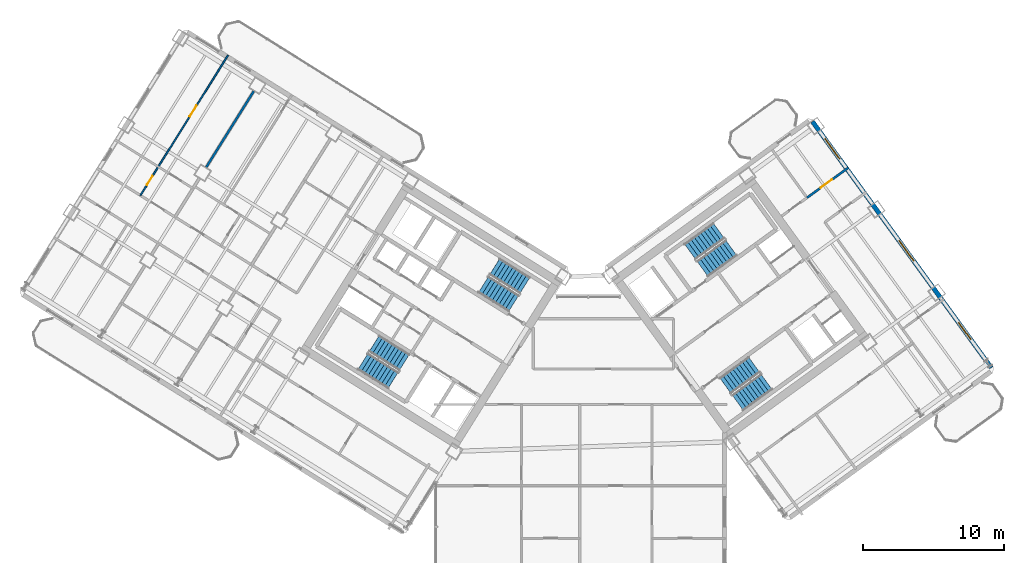
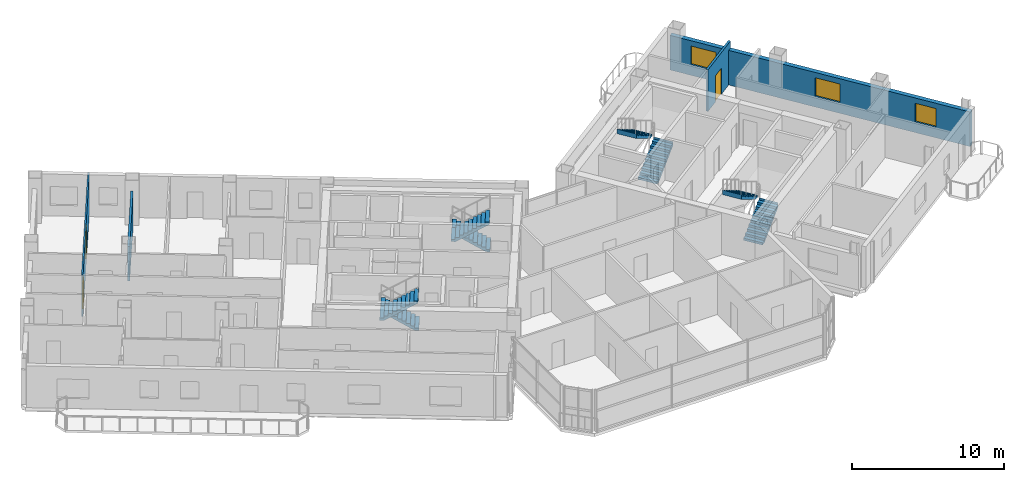
# One storey, part 21 of 25: 8 stair flights, 4 walls, 3 doors, 3 windows, 6 openings, 4 elements without a shape of their own.
"""IFC4 building model written with IfcOpenShell, lengths in metres."""

from ifc_helpers import new_model, si_unit, direction, frame, frame_2d, origin, place, context, subcontext, project, spatial, polyline, rectangle, outline, extrude, source, transform, mapped, material, layer, layer_set, type_object, element, fill, aggregate, save


model = new_model("IFC4")

# Units and contexts
model_context = context("Model", 3, precision=1e-05, world=origin(), true_north=direction((0.0, 1.0)))
body_context = subcontext(model_context, "Body", "Model", "MODEL_VIEW")
ifc_project = project(units=[si_unit("LENGTHUNIT", "METRE"), si_unit("AREAUNIT", "SQUARE_METRE"), si_unit("VOLUMEUNIT", "CUBIC_METRE"), si_unit("PLANEANGLEUNIT", "RADIAN"), si_unit("MASSUNIT", "GRAM", prefix="KILO")], contexts=[model_context])

# Site, building, storey
site_placement = place(None, origin())
site = spatial("IfcSite", under=ifc_project, at=site_placement, CompositionType="ELEMENT")
building_placement = place(site_placement, origin())
building = spatial("IfcBuilding", under=site, at=building_placement, Name="Tlacorven Tower", CompositionType="ELEMENT")
storey_placement = place(building_placement, frame((0.0, 0.0, 155.10009765625)))
storey = spatial("IfcBuildingStorey", under=building, at=storey_placement, Name="L39", CompositionType="ELEMENT", Elevation=155.10009765625)

# Wall
ifc_material_1 = material(Name="Gypsum plasterboard acoustic partition", Category="gypsum")
ifc_layer_1 = layer(ifc_material_1, 0.159912109375)
ifc_layer_set_1 = layer_set([ifc_layer_1], Name="Gypsum plasterboard acoustic partition")
wall_type_1 = type_object("IfcWallType", Name="WL-DEM-160", PredefinedType="PARTITIONING", material=ifc_layer_set_1)
wall_1_placement = place(storey_placement, frame((18.828125, 37.642578125, 0.0), z_axis=(0.0, 0.0, 1.0), x_axis=(-0.529930102756, -0.848041323399, 0.0)))
element("IfcWall", 1, at=wall_1_placement, inside=storey, type_object=wall_type_1, Name="L39 WS Demising Wall 2", PredefinedType="PARTITIONING", context=body_context, shape_type="SweptSolid", body=[
    extrude(rectangle(XDim=6.376220703125, YDim=0.159912109375, at=frame_2d((3.18798828125, 0.0))), origin(), (0.0, 0.0, 1.0), 2.77490234375),
])

# Wall, opening, door
wall_2_placement = place(storey_placement, frame((58.06689453125, 30.080078125, 0.0), z_axis=(0.0, 0.0, 1.0), x_axis=(0.809012309495, 0.587791700422, 0.0)))
wall_2 = element("IfcWall", 2, at=wall_2_placement, inside=storey, type_object=wall_type_1, Name="L39 partition 96", PredefinedType="PARTITIONING", context=body_context, shape_type="SweptSolid", body=[
    extrude(rectangle(XDim=3.6298828125, YDim=0.159912109375, at=frame_2d((1.81494140625, 0.0))), origin(), (0.0, 0.0, 1.0), 3.33984375),
])
opening_1_placement = place(wall_2_placement, frame((1.199951171875, 0.0, 0.0)))
opening_1 = element("IfcOpeningElement", 3, at=opening_1_placement, cuts=wall_2, Name="Opening D11", PredefinedType="OPENING", context=body_context, shape_type="SweptSolid", body=[
    extrude(rectangle(XDim=1.0, YDim=2.10009765625, at=frame_2d((0.5, 1.050048828125))), frame((0.0, 0.08984375, 0.0), z_axis=(0.0, -1.0, 0.0), x_axis=(1.0, 0.0, 0.0)), (0.0, 0.0, 1.0), 0.179931640625),
])
ifc_material_2 = material(Name="Fire-rated steel door assembly", Category="steel")
door_type_1 = type_object("IfcDoorType", Name="DR-FLT-FD60-1000", OperationType="NOTDEFINED", PredefinedType="DOOR", material=ifc_material_2)
shared_shape_1 = source(origin(), body_context, "Body", "SweptSolid", [
    extrude(rectangle(XDim=1.0, YDim=2.10009765625, at=frame_2d((0.5, 1.050048828125))), frame((0.0, 0.02490234375, 0.0), z_axis=(0.0, -1.0, 0.0), x_axis=(1.0, 0.0, 0.0)), (0.0, 0.0, 1.0), 0.050048828125),
])
door_1_placement = place(opening_1_placement, origin())
door_1 = element("IfcDoor", 4, at=door_1_placement, inside=storey, type_object=door_type_1, Name="L39 door 061", OperationType="SINGLE_SWING_LEFT", OverallHeight=2.10009765625, OverallWidth=1.0, PredefinedType="DOOR", context=body_context, shape_type="MappedRepresentation", body=[
    mapped(shared_shape_1, transform((0.0, 0.0, 0.0), scale=1.0)),
])
fill(opening_1, door_1)

# Wall, openings, windows
ifc_material_3 = material(Name="Precast concrete C45/55", Category="concrete")
ifc_layer_2 = layer(ifc_material_3, 0.320068359375)
ifc_layer_set_2 = layer_set([ifc_layer_2], Name="Precast concrete C45/55")
wall_type_2 = type_object("IfcWallType", Name="WL-EXT-320", PredefinedType="STANDARD", material=ifc_layer_set_2)
wall_3_placement = place(storey_placement, frame((58.45458984375, 35.483642578125, 0.0), z_axis=(0.0, 0.0, 1.0), x_axis=(0.587783625747, -0.809018176127, 0.0)))
wall_3 = element("IfcWall", 5, at=wall_3_placement, inside=storey, type_object=wall_type_2, Name="L39 Masonry-Frame Recessed Facade Wall 5", PredefinedType="STANDARD", context=body_context, shape_type="SweptSolid", body=[
    extrude(rectangle(XDim=21.58740234375, YDim=0.320068359375, at=frame_2d((10.793701171875, 0.0))), origin(), (0.0, 0.0, 1.0), 2.77490234375),
])
opening_2_placement = place(wall_3_placement, frame((1.503662109375, 0.0, 0.85009765625)))
opening_2 = element("IfcOpeningElement", 6, at=opening_2_placement, cuts=wall_3, Name="Opening WN01", PredefinedType="OPENING", context=body_context, shape_type="SweptSolid", body=[
    extrude(rectangle(XDim=1.800048828125, YDim=1.5, at=frame_2d((0.89990234375, 0.75))), frame((0.0, 0.169921875, 0.0), z_axis=(0.0, -1.0, 0.0), x_axis=(1.0, 0.0, 0.0)), (0.0, 0.0, 1.0), 0.340087890625),
])
opening_3_placement = place(wall_3_placement, frame((10.443603515625, 0.0, 0.85009765625)))
opening_3 = element("IfcOpeningElement", 7, at=opening_3_placement, cuts=wall_3, Name="Opening WN01", PredefinedType="OPENING", context=body_context, shape_type="SweptSolid", body=[
    extrude(rectangle(XDim=1.800048828125, YDim=1.5, at=frame_2d((0.89990234375, 0.75))), frame((0.0, 0.169921875, 0.0), z_axis=(0.0, -1.0, 0.0), x_axis=(1.0, 0.0, 0.0)), (0.0, 0.0, 1.0), 0.340087890625),
])
opening_4_placement = place(wall_3_placement, frame((17.61962890625, 0.0, 0.85009765625)))
opening_4 = element("IfcOpeningElement", 8, at=opening_4_placement, cuts=wall_3, Name="Opening WN02", PredefinedType="OPENING", context=body_context, shape_type="SweptSolid", body=[
    extrude(rectangle(XDim=1.5, YDim=1.5, at=frame_2d((0.75, 0.75))), frame((0.0, 0.169921875, 0.0), z_axis=(0.0, -1.0, 0.0), x_axis=(1.0, 0.0, 0.0)), (0.0, 0.0, 1.0), 0.340087890625),
])
ifc_material_4 = material(Name="Dark solar low-E double glazing in anodised aluminium frame", Category="aluminium")
window_type_1 = type_object("IfcWindowType", Name="WN-APT-1800X1650", PartitioningType="SINGLE_PANEL", PredefinedType="WINDOW", material=ifc_material_4)
shared_shape_2 = source(origin(), body_context, "Body", "SweptSolid", [
    extrude(rectangle(XDim=1.800048828125, YDim=1.5, at=frame_2d((0.89990234375, 0.75))), frame((0.0, 0.030029296875, 0.0), z_axis=(0.0, -1.0, 0.0), x_axis=(1.0, 0.0, 0.0)), (0.0, 0.0, 1.0), 0.06005859375),
])
window_1_placement = place(opening_2_placement, origin())
window_1 = element("IfcWindow", 9, at=window_1_placement, inside=storey, type_object=window_type_1, Name="L39 Recessed Masonry-Frame Window L39-05.1", OverallHeight=1.5, OverallWidth=1.800048828125, PartitioningType="SINGLE_PANEL", PredefinedType="WINDOW", context=body_context, shape_type="MappedRepresentation", body=[
    mapped(shared_shape_2, transform((0.0, 0.0, 0.0), scale=1.0)),
])
fill(opening_2, window_1)
window_2_placement = place(opening_3_placement, origin())
window_2 = element("IfcWindow", 10, at=window_2_placement, inside=storey, type_object=window_type_1, Name="L39 Recessed Masonry-Frame Window L39-05.2", OverallHeight=1.5, OverallWidth=1.800048828125, PartitioningType="SINGLE_PANEL", PredefinedType="WINDOW", context=body_context, shape_type="MappedRepresentation", body=[
    mapped(shared_shape_2, transform((0.0, 0.0, 0.0), scale=1.0)),
])
fill(opening_3, window_2)
window_type_2 = type_object("IfcWindowType", Name="WN-APT-1500X1650", PartitioningType="SINGLE_PANEL", PredefinedType="WINDOW", material=ifc_material_4)
shared_shape_3 = source(origin(), body_context, "Body", "SweptSolid", [
    extrude(rectangle(XDim=1.5, YDim=1.5, at=frame_2d((0.75, 0.75))), frame((0.0, 0.030029296875, 0.0), z_axis=(0.0, -1.0, 0.0), x_axis=(1.0, 0.0, 0.0)), (0.0, 0.0, 1.0), 0.06005859375),
])
window_3_placement = place(opening_4_placement, origin())
window_3 = element("IfcWindow", 11, at=window_3_placement, inside=storey, type_object=window_type_2, Name="L39 Recessed Masonry-Frame Window L39-05.3", OverallHeight=1.5, OverallWidth=1.5, PartitioningType="SINGLE_PANEL", PredefinedType="WINDOW", context=body_context, shape_type="MappedRepresentation", body=[
    mapped(shared_shape_3, transform((0.0, 0.0, 0.0), scale=1.0)),
])
fill(opening_4, window_3)

# Wall, openings, doors
ifc_material_5 = material(Name="Gypsum plasterboard partition", Category="gypsum")
ifc_layer_3 = layer(ifc_material_5, 0.110107421875)
ifc_layer_set_3 = layer_set([ifc_layer_3], Name="Gypsum plasterboard partition")
wall_type_3 = type_object("IfcWallType", Name="WL-INT-110", PredefinedType="PARTITIONING", material=ifc_layer_set_3)
wall_4_placement = place(storey_placement, frame((16.9951171875, 40.181640625, 0.0), z_axis=(0.0, 0.0, 1.0), x_axis=(-0.529927783988, -0.848042772363, 0.0)))
wall_4 = element("IfcWall", 12, at=wall_4_placement, inside=storey, type_object=wall_type_3, Name="L39 partition 65", PredefinedType="PARTITIONING", context=body_context, shape_type="SweptSolid", body=[
    extrude(rectangle(XDim=11.719970703125, YDim=0.110107421875, at=frame_2d((5.85986328125, 0.0))), origin(), (0.0, 0.0, 1.0), 3.33984375),
])
opening_5_placement = place(wall_4_placement, frame((10.080078125, 0.0, 0.0)))
opening_5 = element("IfcOpeningElement", 13, at=opening_5_placement, cuts=wall_4, Name="Opening D22", PredefinedType="OPENING", context=body_context, shape_type="SweptSolid", body=[
    extrude(rectangle(XDim=0.780029296875, YDim=2.050048828125, at=frame_2d((0.39013671875, 1.02490234375))), frame((0.0, 0.06494140625, 0.0), z_axis=(0.0, -1.0, 0.0), x_axis=(1.0, 0.0, 0.0)), (0.0, 0.0, 1.0), 0.130126953125),
])
opening_6_placement = place(wall_4_placement, frame((4.199951171875, 0.0, 0.0)))
opening_6 = element("IfcOpeningElement", 14, at=opening_6_placement, cuts=wall_4, Name="Opening D12", PredefinedType="OPENING", context=body_context, shape_type="SweptSolid", body=[
    extrude(rectangle(XDim=0.919921875, YDim=2.080078125, at=frame_2d((0.4599609375, 1.0400390625))), frame((0.0, 0.06494140625, 0.0), z_axis=(0.0, -1.0, 0.0), x_axis=(1.0, 0.0, 0.0)), (0.0, 0.0, 1.0), 0.130126953125),
])
ifc_material_6 = material(Name="Powder-coated aluminium and timber door", Category="wood")
door_type_2 = type_object("IfcDoorType", Name="DR-INT-WET-0780", OperationType="NOTDEFINED", PredefinedType="DOOR", material=ifc_material_6)
shared_shape_4 = source(origin(), body_context, "Body", "SweptSolid", [
    extrude(rectangle(XDim=0.780029296875, YDim=2.050048828125, at=frame_2d((0.39013671875, 1.02490234375))), frame((0.0, 0.02490234375, 0.0), z_axis=(0.0, -1.0, 0.0), x_axis=(1.0, 0.0, 0.0)), (0.0, 0.0, 1.0), 0.050048828125),
])
door_2_placement = place(opening_5_placement, origin())
door_2 = element("IfcDoor", 15, at=door_2_placement, inside=storey, type_object=door_type_2, Name="L39 door 041", OperationType="SINGLE_SWING_LEFT", OverallHeight=2.050048828125, OverallWidth=0.780029296875, PredefinedType="DOOR", context=body_context, shape_type="MappedRepresentation", body=[
    mapped(shared_shape_4, transform((0.0, 0.0, 0.0), scale=1.0)),
])
fill(opening_5, door_2)
door_type_3 = type_object("IfcDoorType", Name="DR-INT-ROOM-0920", OperationType="NOTDEFINED", PredefinedType="DOOR", material=ifc_material_6)
shared_shape_5 = source(origin(), body_context, "Body", "SweptSolid", [
    extrude(rectangle(XDim=0.919921875, YDim=2.080078125, at=frame_2d((0.4599609375, 1.0400390625))), frame((0.0, 0.02490234375, 0.0), z_axis=(0.0, -1.0, 0.0), x_axis=(1.0, 0.0, 0.0)), (0.0, 0.0, 1.0), 0.050048828125),
])
door_3_placement = place(opening_6_placement, origin())
door_3 = element("IfcDoor", 16, at=door_3_placement, inside=storey, type_object=door_type_3, Name="L39 door 042", OperationType="SINGLE_SWING_RIGHT", OverallHeight=2.080078125, OverallWidth=0.919921875, PredefinedType="DOOR", context=body_context, shape_type="MappedRepresentation", body=[
    mapped(shared_shape_5, transform((0.0, 0.0, 0.0), scale=1.0)),
])
fill(opening_6, door_3)

# Stair, stair flights
ifc_material_7 = material(Name="Concrete C40/50", Category="concrete")
stair_type = type_object("IfcStairType", Name="ST-CORE-DLG", PredefinedType="HALF_TURN_STAIR", material=ifc_material_7)
stair_1_placement = place(storey_placement, origin())
stair_1 = element("IfcStair", 17, at=stair_1_placement, inside=storey, type_object=stair_type, Name="L39 Protected Exit Stair West 1", PredefinedType="HALF_TURN_STAIR")
stair_flight_type = type_object("IfcStairFlightType", Name="SFL-RC-1380", PredefinedType="STRAIGHT", material=ifc_material_7)
shared_shape_6 = source(origin(), body_context, "Body", "SweptSolid", [
    extrude(outline(polyline([(-0.0029296875, -0.0029296875), (-0.0029296875, 0.179931640625), (0.280029296875, 0.179931640625), (0.280029296875, 0.360107421875), (0.56005859375, 0.360107421875), (0.56005859375, 0.5400390625), (0.840087890625, 0.5400390625), (0.840087890625, 0.719970703125), (1.1201171875, 0.719970703125), (1.1201171875, 0.89990234375), (1.39990234375, 0.89990234375), (1.39990234375, 1.080078125), (1.679931640625, 1.080078125), (1.679931640625, 1.260009765625), (1.9599609375, 1.260009765625), (1.9599609375, 1.43994140625), (2.239990234375, 1.43994140625), (2.239990234375, 1.6201171875), (2.52001953125, 1.6201171875), (2.52001953125, 1.800048828125), (2.52294921875, 1.800048828125), (2.52294921875, 1.429931640625), (2.52001953125, 1.429931640625), (0.295654296875, 0.0), (0.295654296875, -0.0029296875), (-0.0029296875, -0.0029296875)])), frame((0.0, 0.68994140625, 0.0), z_axis=(0.0, -1.0, 0.0), x_axis=(1.0, 0.0, 0.0)), (0.0, 0.0, 1.0), 1.3798828125),
])
stair_flight_1_placement = place(storey_placement, frame((29.499755859375, 18.39453125, 0.0), z_axis=(0.0, 0.0, 1.0), x_axis=(-0.848048096156, 0.529919264233, 0.0)))
stair_flight_1 = element("IfcStairFlight", 18, at=stair_flight_1_placement, type_object=stair_flight_type, Name="ST-W1 flight 1", NumberOfRisers=10, NumberOfTreads=9, PredefinedType="STRAIGHT", RiserHeight=0.18, TreadLength=0.28, context=body_context, shape_type="MappedRepresentation", body=[
    mapped(shared_shape_6, transform((0.0, 0.0, 0.0), scale=1.0)),
])
stair_flight_2_placement = place(storey_placement, frame((26.56787109375, 18.4580078125, 1.7998046875), z_axis=(0.0, 0.0, 1.0), x_axis=(0.848048096156, -0.529919264233, 0.0)))
stair_flight_2 = element("IfcStairFlight", 19, at=stair_flight_2_placement, type_object=stair_flight_type, Name="ST-W1 flight 2", NumberOfRisers=10, NumberOfTreads=9, PredefinedType="STRAIGHT", RiserHeight=0.18, TreadLength=0.28, context=body_context, shape_type="MappedRepresentation", body=[
    mapped(shared_shape_6, transform((0.0, 0.0, 0.0), scale=1.0)),
])
aggregate(stair_1, [stair_flight_1, stair_flight_2])

stair_2_placement = place(storey_placement, origin())
stair_2 = element("IfcStair", 20, at=stair_2_placement, inside=storey, type_object=stair_type, Name="L39 Protected Exit Stair West 2", PredefinedType="HALF_TURN_STAIR")
stair_flight_3_placement = place(storey_placement, frame((38.051513671875, 23.852294921875, 0.0), z_axis=(0.0, 0.0, 1.0), x_axis=(-0.848048096156, 0.529919264233, 0.0)))
stair_flight_3 = element("IfcStairFlight", 21, at=stair_flight_3_placement, type_object=stair_flight_type, Name="ST-W2 flight 1", NumberOfRisers=10, NumberOfTreads=9, PredefinedType="STRAIGHT", RiserHeight=0.18, TreadLength=0.28, context=body_context, shape_type="MappedRepresentation", body=[
    mapped(shared_shape_6, transform((0.0, 0.0, 0.0), scale=1.0)),
])
stair_flight_4_placement = place(storey_placement, frame((35.119384765625, 23.91552734375, 1.7998046875), z_axis=(0.0, 0.0, 1.0), x_axis=(0.848048096156, -0.529919264233, 0.0)))
stair_flight_4 = element("IfcStairFlight", 22, at=stair_flight_4_placement, type_object=stair_flight_type, Name="ST-W2 flight 2", NumberOfRisers=10, NumberOfTreads=9, PredefinedType="STRAIGHT", RiserHeight=0.18, TreadLength=0.28, context=body_context, shape_type="MappedRepresentation", body=[
    mapped(shared_shape_6, transform((0.0, 0.0, 0.0), scale=1.0)),
])
aggregate(stair_2, [stair_flight_3, stair_flight_4])

stair_3_placement = place(storey_placement, origin())
stair_3 = element("IfcStair", 23, at=stair_3_placement, inside=storey, type_object=stair_type, Name="L39 Protected Exit Stair East 1", PredefinedType="HALF_TURN_STAIR")
stair_flight_5_placement = place(storey_placement, frame((50.6533203125, 25.0400390625, 0.0), z_axis=(0.0, 0.0, 1.0), x_axis=(0.809016994375, 0.587785252292, 0.0)))
stair_flight_5 = element("IfcStairFlight", 24, at=stair_flight_5_placement, type_object=stair_flight_type, Name="ST-E1 flight 1", NumberOfRisers=10, NumberOfTreads=9, PredefinedType="STRAIGHT", RiserHeight=0.18, TreadLength=0.28, context=body_context, shape_type="MappedRepresentation", body=[
    mapped(shared_shape_6, transform((0.0, 0.0, 0.0), scale=1.0)),
])
stair_flight_6_placement = place(storey_placement, frame((51.810546875, 27.734619140625, 1.7998046875), z_axis=(0.0, 0.0, 1.0), x_axis=(-0.809016994375, -0.587785252292, 0.0)))
stair_flight_6 = element("IfcStairFlight", 25, at=stair_flight_6_placement, type_object=stair_flight_type, Name="ST-E1 flight 2", NumberOfRisers=10, NumberOfTreads=9, PredefinedType="STRAIGHT", RiserHeight=0.18, TreadLength=0.28, context=body_context, shape_type="MappedRepresentation", body=[
    mapped(shared_shape_6, transform((0.0, 0.0, 0.0), scale=1.0)),
])
aggregate(stair_3, [stair_flight_5, stair_flight_6])

stair_4_placement = place(storey_placement, origin())
stair_4 = element("IfcStair", 26, at=stair_4_placement, inside=storey, type_object=stair_type, Name="L39 Protected Exit Stair East 2", PredefinedType="HALF_TURN_STAIR")
stair_flight_7_placement = place(storey_placement, frame((53.157470703125, 15.536865234375, 0.0), z_axis=(0.0, 0.0, 1.0), x_axis=(0.809016994375, 0.587785252292, 0.0)))
stair_flight_7 = element("IfcStairFlight", 27, at=stair_flight_7_placement, type_object=stair_flight_type, Name="ST-E2 flight 1", NumberOfRisers=10, NumberOfTreads=9, PredefinedType="STRAIGHT", RiserHeight=0.18, TreadLength=0.28, context=body_context, shape_type="MappedRepresentation", body=[
    mapped(shared_shape_6, transform((0.0, 0.0, 0.0), scale=1.0)),
])
stair_flight_8_placement = place(storey_placement, frame((54.314453125, 18.231689453125, 1.7998046875), z_axis=(0.0, 0.0, 1.0), x_axis=(-0.809016994375, -0.587785252292, 0.0)))
stair_flight_8 = element("IfcStairFlight", 28, at=stair_flight_8_placement, type_object=stair_flight_type, Name="ST-E2 flight 2", NumberOfRisers=10, NumberOfTreads=9, PredefinedType="STRAIGHT", RiserHeight=0.18, TreadLength=0.28, context=body_context, shape_type="MappedRepresentation", body=[
    mapped(shared_shape_6, transform((0.0, 0.0, 0.0), scale=1.0)),
])
aggregate(stair_4, [stair_flight_7, stair_flight_8])

save(model, "model.ifc")
